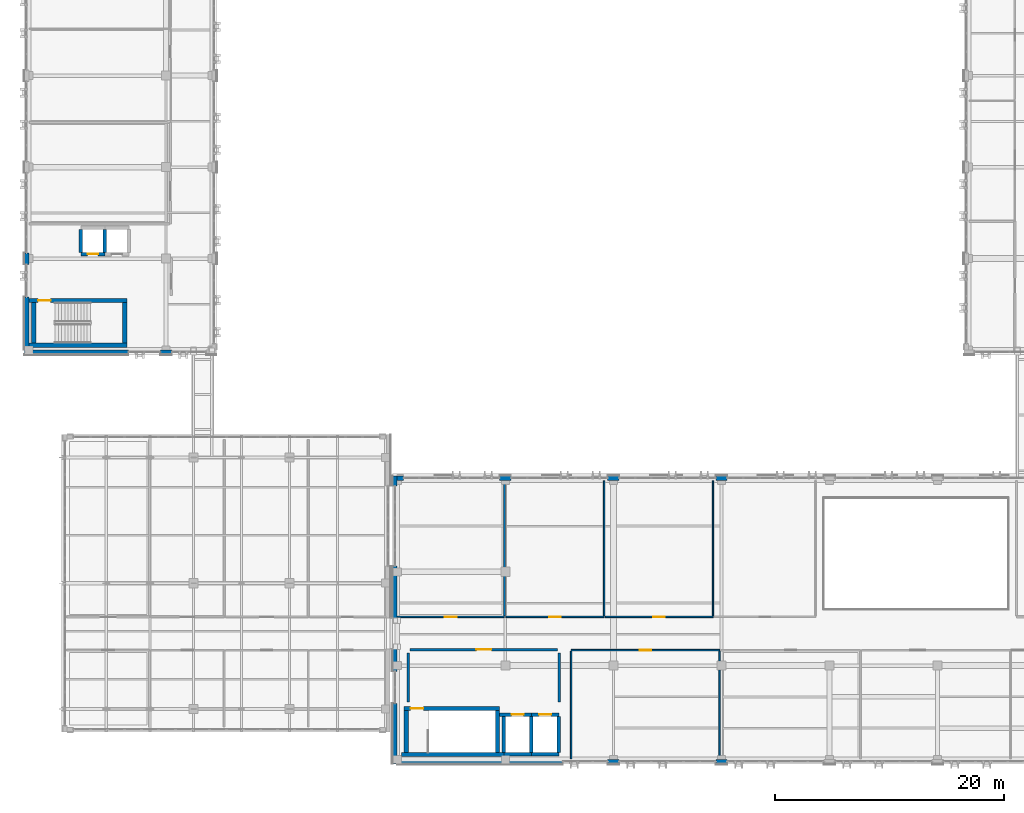
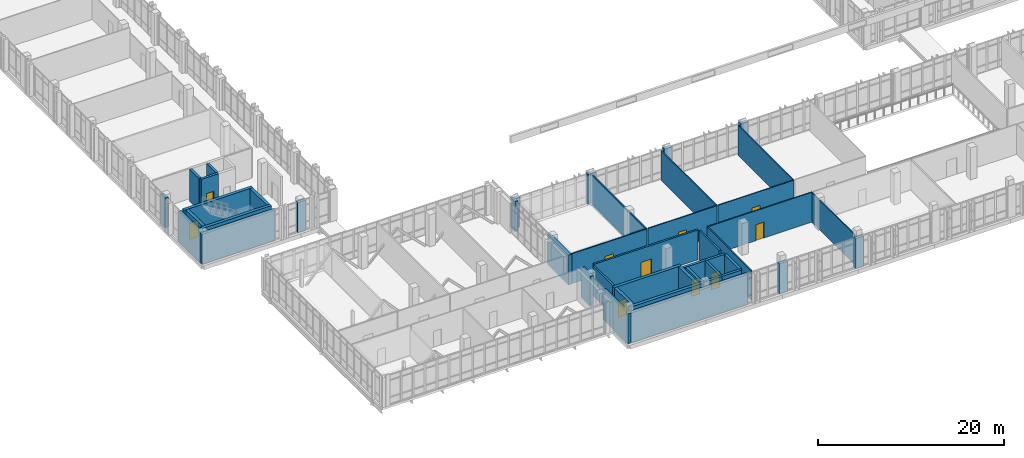
# One storey, part 129 of 158: 45 walls, 10 doors, 10 openings.
"""IFC4 building model written with IfcOpenShell, lengths in metres."""

import ifcopenshell
import ifcopenshell.guid

model = None  # the IFC model being written
_history = None  # IfcOwnerHistory: only IFC2X3 demands one
_inside = {}  # id of a spatial element -> (the spatial element, [elements in it])
_under = {}  # id of a project, library or spatial element -> (it, [spatial elements below it])
_declared = {}  # id of a project -> (the project, [libraries it declares])
_typed = {}  # id of a type object -> (the type object, [elements of that type])
_made_of = {}  # id of a material, layer set ... -> (it, [elements and type objects made of it])


def new_model(schema):
    """Start an empty IFC model of exactly this schema.

    Asked for "IFC4X3", IfcOpenShell would pick the latest addendum, in which some entities
    have other attributes; the version numbers below select the first issue.
    IFC2X3 requires an IfcOwnerHistory on every rooted entity: one is made here for all.
    """
    global model, _history
    if schema == "IFC4X3":
        model = ifcopenshell.file(schema_version=(4, 3, 0, 0))
    else:
        model = ifcopenshell.file(schema=schema)
    _inside.clear()
    _under.clear()
    _declared.clear()
    _typed.clear()
    _made_of.clear()
    _history = None
    if model.schema == "IFC2X3":
        org = make("IfcOrganization", Name="unknown")
        user = make(
            "IfcPersonAndOrganization",
            ThePerson=make("IfcPerson", FamilyName="unknown"),
            TheOrganization=org,
        )
        app = make(
            "IfcApplication",
            ApplicationDeveloper=org,
            Version="unknown",
            ApplicationFullName="unknown",
            ApplicationIdentifier="unknown",
        )
        _history = make(
            "IfcOwnerHistory",
            OwningUser=user,
            OwningApplication=app,
            ChangeAction="ADDED",
            CreationDate=0,
        )
    return model


def make(cls, **values):
    """One entity of the class cls with the attributes given. An attribute that is None is left unset."""
    return model.create_entity(
        cls, **{name: value for name, value in values.items() if value is not None}
    )


def rooted(cls, **values):
    """An entity with a GlobalId (a new one), such as an element, a storey or a relation."""
    return make(cls, GlobalId=ifcopenshell.guid.new(), OwnerHistory=_history, **values)


def si_unit(unit_type, name, prefix=None):
    """IfcSIUnit, for example si_unit("LENGTHUNIT", "METRE", prefix="MILLI")."""
    return make("IfcSIUnit", UnitType=unit_type, Prefix=prefix, Name=name)


def assignment(units):
    """IfcUnitAssignment: the units of a project."""
    return None if units is None else make("IfcUnitAssignment", Units=units)


def point(xyz):
    """IfcCartesianPoint."""
    return None if xyz is None else make("IfcCartesianPoint", Coordinates=xyz)


def direction(xyz):
    """IfcDirection."""
    return None if xyz is None else make("IfcDirection", DirectionRatios=xyz)


def frame(location, z_axis=None, x_axis=None):
    """IfcAxis2Placement3D, a coordinate frame: its origin and axes. An axis left out is left unset."""
    return make(
        "IfcAxis2Placement3D",
        Location=point(location),
        Axis=direction(z_axis),
        RefDirection=direction(x_axis),
    )


def frame_2d(location, x_axis=None):
    """IfcAxis2Placement2D, a coordinate frame in the plane: its origin and x axis."""
    return make(
        "IfcAxis2Placement2D", Location=point(location), RefDirection=direction(x_axis)
    )


def origin():
    """The frame at (0, 0, 0) with its axes left unset."""
    return frame((0.0, 0.0, 0.0))


def place(relative_to, where):
    """IfcLocalPlacement: puts the frame where relative to a parent placement (None: the world)."""
    return make(
        "IfcLocalPlacement", PlacementRelTo=relative_to, RelativePlacement=where
    )


def context(
    kind, dimensions, precision=None, world=None, true_north=None, identifier=None
):
    """IfcGeometricRepresentationContext, for example the 3D "Model" context."""
    return make(
        "IfcGeometricRepresentationContext",
        ContextIdentifier=identifier,
        ContextType=kind,
        CoordinateSpaceDimension=dimensions,
        Precision=precision,
        WorldCoordinateSystem=world,
        TrueNorth=true_north,
    )


def subcontext(parent, identifier, kind, view, scale=None):
    """IfcGeometricRepresentationSubContext, for example "Body" below "Model"."""
    return make(
        "IfcGeometricRepresentationSubContext",
        ContextIdentifier=identifier,
        ContextType=kind,
        ParentContext=parent,
        TargetScale=scale,
        TargetView=view,
    )


def project(units=None, contexts=None):
    """IfcProject with its units and contexts."""
    return rooted(
        "IfcProject",
        Name="project",
        RepresentationContexts=contexts,
        UnitsInContext=assignment(units),
    )


def spatial(cls, under=None, at=None, **own):
    """A site, building, storey or space (cls), placed at a placement, below another one or the project."""
    s = rooted(cls, ObjectPlacement=at, **own)
    if under is not None:
        _under.setdefault(under.id(), (under, []))[1].append(s)
    return s


def profile(cls, at=None, kind="AREA", **sizes):
    """A parametric profile (cls). Its sizes go by their IFC names, for example OverallWidth=200.0."""
    return make(cls, ProfileType=kind, Position=at, **sizes)


def rectangle(**sizes):
    """IfcRectangleProfileDef."""
    return profile("IfcRectangleProfileDef", **sizes)


def extrude(swept, where, along, depth):
    """IfcExtrudedAreaSolid: the profile swept, set in the frame where, extruded along a direction by depth."""
    return make(
        "IfcExtrudedAreaSolid",
        SweptArea=swept,
        Position=where,
        ExtrudedDirection=direction(along),
        Depth=depth,
    )


def shape(context_of_items, identifier, shape_type, items):
    """IfcShapeRepresentation: the items that make up one representation, for example the "Body"."""
    return make(
        "IfcShapeRepresentation",
        ContextOfItems=context_of_items,
        RepresentationIdentifier=identifier,
        RepresentationType=shape_type,
        Items=items,
    )


def material(Name=None, Category=None):
    """IfcMaterial."""
    return make("IfcMaterial", Name=Name, Category=Category)


def layer(
    of_material, thickness, ventilated=None, Name=None, Category=None, Priority=None
):
    """IfcMaterialLayer: one layer of a wall or slab, of a material (None: an air gap)."""
    return make(
        "IfcMaterialLayer",
        Material=of_material,
        LayerThickness=thickness,
        IsVentilated=ventilated,
        Name=Name,
        Category=Category,
        Priority=Priority,
    )


def layer_set(layers, Name=None):
    """IfcMaterialLayerSet."""
    return make("IfcMaterialLayerSet", MaterialLayers=layers, LayerSetName=Name)


def made_of(thing, what):
    """Note that an element or type object is made of a material, layer set ...; save() writes the relation."""
    if what is not None:
        _made_of.setdefault(what.id(), (what, []))[1].append(thing)
    return thing


def type_object(cls, material=None, **own):
    """A type object (cls), such as IfcWallType, which elements share."""
    return made_of(rooted(cls, **own), material)


def element(
    cls,
    number,
    at=None,
    inside=None,
    cuts=None,
    type_object=None,
    material=None,
    context=None,
    identifier="Body",
    shape_type=None,
    held_by="IfcProductDefinitionShape",
    body=None,
    shapes=None,
    **own,
):
    """One element of the class cls, such as IfcWall. Its Tag is "e" and its number.

    at: its placement. inside: the storey or other place that contains it. cuts: it is an
    opening in that element (IfcRelVoidsElement). A single representation is given by context,
    identifier, shape_type and body (its items); several are given by shapes. held_by: the class
    of the entity that holds the representations. save() writes the other relations.
    """
    e = rooted(cls, Tag="e%d" % number, ObjectPlacement=at, **own)
    if body is not None:
        shapes = [shape(context, identifier, shape_type, body)]
    if shapes is not None:
        e.Representation = make(held_by, Representations=shapes)
    if inside is not None:
        _inside.setdefault(inside.id(), (inside, []))[1].append(e)
    if cuts is not None:
        rooted(
            "IfcRelVoidsElement", RelatingBuildingElement=cuts, RelatedOpeningElement=e
        )
    if type_object is not None:
        _typed.setdefault(type_object.id(), (type_object, []))[1].append(e)
    return made_of(e, material)


def fill(opening, filler):
    """IfcRelFillsElement: the door or window that sits in an opening."""
    return rooted(
        "IfcRelFillsElement",
        RelatingOpeningElement=opening,
        RelatedBuildingElement=filler,
    )


def aggregate(whole, parts):
    """IfcRelAggregates: a whole, such as a stair, and the parts it consists of."""
    return rooted("IfcRelAggregates", RelatingObject=whole, RelatedObjects=parts)


def save(model, path):
    """Write the relations noted so far, then the file.

    IfcRelAggregates (storeys below a building ...), IfcRelContainedInSpatialStructure (elements
    in a storey), IfcRelDefinesByType, IfcRelAssociatesMaterial and IfcRelDeclares: one each for
    every whole, place, type object, material and project.
    """
    for whole, parts in _under.values():
        aggregate(whole, parts)
    for where, things in _inside.values():
        rooted(
            "IfcRelContainedInSpatialStructure",
            RelatedElements=things,
            RelatingStructure=where,
        )
    for kind, things in _typed.values():
        rooted("IfcRelDefinesByType", RelatedObjects=things, RelatingType=kind)
    for what, things in _made_of.values():
        rooted("IfcRelAssociatesMaterial", RelatedObjects=things, RelatingMaterial=what)
    for by, libraries in _declared.values():
        rooted("IfcRelDeclares", RelatingContext=by, RelatedDefinitions=libraries)
    model.write(path)


model = new_model("IFC4")

# Units and contexts
model_context = context("Model", 3, precision=1e-05, world=origin(), true_north=direction((0.0, 1.0)))
body_context = subcontext(model_context, "Body", "Model", "MODEL_VIEW")
ifc_project = project(units=[si_unit("LENGTHUNIT", "METRE"), si_unit("AREAUNIT", "SQUARE_METRE"), si_unit("VOLUMEUNIT", "CUBIC_METRE"), si_unit("PLANEANGLEUNIT", "RADIAN"), si_unit("MASSUNIT", "GRAM", prefix="KILO")], contexts=[model_context])

# Site, building, storey
site_placement = place(None, origin())
site = spatial("IfcSite", under=ifc_project, at=site_placement, CompositionType="ELEMENT")
building_placement = place(site_placement, origin())
building = spatial("IfcBuilding", under=site, at=building_placement, Name="Qalavern Law Courts", CompositionType="ELEMENT")
storey_placement = place(building_placement, frame((0.0, 0.0, 18.60009765625)))
storey = spatial("IfcBuildingStorey", under=building, at=storey_placement, Name="L04", CompositionType="ELEMENT", Elevation=18.60009765625)

# Walls
ifc_material_1 = material(Name="Concrete C40/50", Category="concrete")
ifc_layer_1 = layer(ifc_material_1, 0.39990234375)
ifc_layer_set_1 = layer_set([ifc_layer_1], Name="Concrete C40/50")
wall_type_1 = type_object("IfcWallType", Name="ENV-EW-400", PredefinedType="SOLIDWALL", material=ifc_layer_set_1)
wall_1_placement = place(storey_placement, frame((34.614990234375, 5.39990234375, 0.0), z_axis=(0.0, 0.0, 1.0), x_axis=(1.0, 0.0, 0.0)))
element("IfcWall", 1, at=wall_1_placement, inside=storey, type_object=wall_type_1, Name="V2 exterior pier wall L04 south 1", PredefinedType="SOLIDWALL", context=body_context, shape_type="SweptSolid", body=[
    extrude(rectangle(XDim=14.485107421875, YDim=0.39990234375, at=frame_2d((7.24267578125, 0.0))), origin(), (0.0, 0.0, 1.0), 3.9248046875),
])
for number, where, z_axis, x_axis, name in (
    (2, (53.028564453125, 5.39990234375, 0.0), (0.0, 0.0, 1.0), (1.0, 0.0, 0.0), "V2 exterior pier wall L04 south 2"),
    (3, (62.48291015625, 5.39990234375, 0.0), (0.0, 0.0, 1.0), (1.0, 0.0, 0.0), "V2 exterior pier wall L04 south 3"),
    (4, (63.48291015625, 30.199951171875, 0.0), (0.0, 0.0, 1.0), (-1.0, 0.0, 0.0), "V2 exterior pier wall L04 north 5"),
    (5, (54.028564453125, 30.199951171875, 0.0), (0.0, 0.0, 1.0), (-1.0, 0.0, 0.0), "V2 exterior pier wall L04 north 6"),
    (6, (44.57421875, 30.199951171875, 0.0), (0.0, 0.0, 1.0), (-1.0, 0.0, 0.0), "V2 exterior pier wall L04 north 7"),
):
    element("IfcWall", number, at=place(storey_placement, frame(where, z_axis=z_axis, x_axis=x_axis)), inside=storey, type_object=wall_type_1, Name=name, PredefinedType="SOLIDWALL", context=body_context, shape_type="SweptSolid", body=[
        extrude(rectangle(XDim=1.0, YDim=0.39990234375, at=frame_2d((0.5, 0.0))), origin(), (0.0, 0.0, 1.0), 3.9248046875),
    ])
wall_2_placement = place(storey_placement, frame((35.1650390625, 30.199951171875, 0.0), z_axis=(0.0, 0.0, 1.0), x_axis=(-1.0, 0.0, 0.0)))
element("IfcWall", 7, at=wall_2_placement, inside=storey, type_object=wall_type_1, Name="V2 exterior pier wall L04 north 8", PredefinedType="SOLIDWALL", context=body_context, shape_type="SweptSolid", body=[
    extrude(rectangle(XDim=0.550048828125, YDim=0.39990234375, at=frame_2d((0.27490234375, 0.0))), origin(), (0.0, 0.0, 1.0), 3.9248046875),
])
wall_3_placement = place(storey_placement, frame((34.419921875, 30.39990234375, 0.0), z_axis=(0.0, 0.0, 1.0), x_axis=(0.0, -1.0, 0.0)))
element("IfcWall", 8, at=wall_3_placement, inside=storey, type_object=wall_type_1, Name="V2 exterior pier wall L04 west 1", PredefinedType="SOLIDWALL", context=body_context, shape_type="SweptSolid", body=[
    extrude(rectangle(XDim=0.89990234375, YDim=0.39990234375, at=frame_2d((0.449951171875, 0.0))), origin(), (0.0, 0.0, 1.0), 3.9248046875),
])
wall_4_placement = place(storey_placement, frame((34.419921875, 22.5, 0.0), z_axis=(0.0, 0.0, 1.0), x_axis=(0.0, -1.0, 0.0)))
element("IfcWall", 9, at=wall_4_placement, inside=storey, type_object=wall_type_1, Name="V2 exterior pier wall L04 west 2", PredefinedType="SOLIDWALL", context=body_context, shape_type="SweptSolid", body=[
    extrude(rectangle(XDim=4.550048828125, YDim=0.39990234375, at=frame_2d((2.27490234375, 0.0))), origin(), (0.0, 0.0, 1.0), 3.9248046875),
])
wall_5_placement = place(storey_placement, frame((34.419921875, 15.25, 0.0), z_axis=(0.0, 0.0, 1.0), x_axis=(0.0, -1.0, 0.0)))
element("IfcWall", 10, at=wall_5_placement, inside=storey, type_object=wall_type_1, Name="V2 exterior pier wall L04 west 1", PredefinedType="SOLIDWALL", context=body_context, shape_type="SweptSolid", body=[
    extrude(rectangle(XDim=1.949951171875, YDim=0.39990234375, at=frame_2d((0.97509765625, 0.0))), origin(), (0.0, 0.0, 1.0), 3.9248046875),
])
wall_6_placement = place(storey_placement, frame((34.419921875, 10.5, 0.0), z_axis=(0.0, 0.0, 1.0), x_axis=(0.0, -1.0, 0.0)))
element("IfcWall", 11, at=wall_6_placement, inside=storey, type_object=wall_type_1, Name="V2 exterior pier wall L04 west 2", PredefinedType="SOLIDWALL", context=body_context, shape_type="SweptSolid", body=[
    extrude(rectangle(XDim=5.300048828125, YDim=0.39990234375, at=frame_2d((2.64990234375, 0.0))), origin(), (0.0, 0.0, 1.0), 3.9248046875),
])
wall_7_placement = place(storey_placement, frame((2.0, 41.219970703125, 0.0), z_axis=(0.0, 0.0, 1.0), x_axis=(1.0, 0.0, 0.0)))
element("IfcWall", 12, at=wall_7_placement, inside=storey, type_object=wall_type_1, Name="V3 exterior pier wall L04 south 1", PredefinedType="SOLIDWALL", context=body_context, shape_type="SweptSolid", body=[
    extrude(rectangle(XDim=9.10009765625, YDim=0.39990234375, at=frame_2d((4.550048828125, 0.0))), origin(), (0.0, 0.0, 1.0), 3.9248046875),
])
for number, where, z_axis, x_axis, name in (
    (13, (13.89990234375, 41.219970703125, 0.0), (0.0, 0.0, 1.0), (1.0, 0.0, 0.0), "V3 exterior pier wall L04 south 2"),
    (14, (2.199951171875, 49.89990234375, 0.0), (0.0, 0.0, 1.0), (0.0, -1.0, 0.0), "V3 exterior pier wall L04 west 7"),
):
    element("IfcWall", number, at=place(storey_placement, frame(where, z_axis=z_axis, x_axis=x_axis)), inside=storey, type_object=wall_type_1, Name=name, PredefinedType="SOLIDWALL", context=body_context, shape_type="SweptSolid", body=[
        extrude(rectangle(XDim=1.0, YDim=0.39990234375, at=frame_2d((0.5, 0.0))), origin(), (0.0, 0.0, 1.0), 3.9248046875),
    ])
wall_8_placement = place(storey_placement, frame((2.199951171875, 46.050048828125, 0.0), z_axis=(0.0, 0.0, 1.0), x_axis=(0.0, -1.0, 0.0)))
element("IfcWall", 15, at=wall_8_placement, inside=storey, type_object=wall_type_1, Name="V3 exterior pier wall L04 west 8", PredefinedType="SOLIDWALL", context=body_context, shape_type="SweptSolid", body=[
    extrude(rectangle(XDim=4.635009765625, YDim=0.39990234375, at=frame_2d((2.3173828125, 0.0))), origin(), (0.0, 0.0, 1.0), 3.9248046875),
])
ifc_material_2 = material(Name="Concrete C45/55", Category="concrete")
ifc_layer_2 = layer(ifc_material_2, 0.375)
ifc_layer_set_2 = layer_set([ifc_layer_2], Name="Concrete C45/55")
wall_type_2 = type_object("IfcWallType", Name="INT-CW-375", PredefinedType="SHEAR", material=ifc_layer_set_2)
wall_9_placement = place(storey_placement, frame((2.403076171875, 41.8125, 0.0), z_axis=(0.0, 0.0, 1.0), x_axis=(1.0, 0.0, 0.0)))
element("IfcWall", 16, at=wall_9_placement, inside=storey, type_object=wall_type_2, Name="Core K2 stair shear wall L04 south", PredefinedType="SHEAR", context=body_context, shape_type="SweptSolid", body=[
    extrude(rectangle(XDim=8.572021484375, YDim=0.375, at=frame_2d((4.2861328125, 0.0))), origin(), (0.0, 0.0, 1.0), 4.199951171875),
])
wall_10_placement = place(storey_placement, frame((10.78759765625, 42.0, 0.0), z_axis=(0.0, 0.0, 1.0), x_axis=(0.0, 1.0, 0.0)))
element("IfcWall", 17, at=wall_10_placement, inside=storey, type_object=wall_type_2, Name="Core K2 stair shear wall L04 east", PredefinedType="SHEAR", context=body_context, shape_type="SweptSolid", body=[
    extrude(rectangle(XDim=3.550048828125, YDim=0.375, at=frame_2d((1.77490234375, 0.0))), origin(), (0.0, 0.0, 1.0), 4.199951171875),
])

# Wall, opening, door
wall_11_placement = place(storey_placement, frame((10.97509765625, 45.737548828125, 0.0), z_axis=(0.0, 0.0, 1.0), x_axis=(-1.0, 0.0, 0.0)))
wall_11 = element("IfcWall", 18, at=wall_11_placement, inside=storey, type_object=wall_type_2, Name="Core K2 stair shear wall L04 north", PredefinedType="SHEAR", context=body_context, shape_type="SweptSolid", body=[
    extrude(rectangle(XDim=8.572021484375, YDim=0.375, at=frame_2d((4.2861328125, 0.0))), origin(), (0.0, 0.0, 1.0), 4.199951171875),
])
opening_1_placement = place(wall_11_placement, frame((6.675048828125, 0.0, 0.0)))
opening_1 = element("IfcOpeningElement", 19, at=opening_1_placement, cuts=wall_11, Name="Opening L04-D061", PredefinedType="OPENING", context=body_context, shape_type="SweptSolid", body=[
    extrude(rectangle(XDim=1.10009765625, YDim=2.14990234375, at=frame_2d((0.550048828125, 1.074951171875))), frame((0.0, 0.202392578125, 0.0), z_axis=(0.0, -1.0, 0.0), x_axis=(1.0, 0.0, 0.0)), (0.0, 0.0, 1.0), 0.40478515625),
])
ifc_material_3 = material(Name="Steel fire-rated stair enclosure door", Category="steel")
door_type_1 = type_object("IfcDoorType", Name="INT-FD-1100x2150", OperationType="NOTDEFINED", PredefinedType="DOOR", material=ifc_material_3)
door_1_placement = place(opening_1_placement, frame((1.10009765625, 0.0, 0.0), z_axis=(0.0, 0.0, 1.0), x_axis=(-1.0, 0.0, 0.0)))
door_1 = element("IfcDoor", 20, at=door_1_placement, inside=storey, type_object=door_type_1, Name="Stair K2 fire door L04", OperationType="SINGLE_SWING_LEFT", OverallHeight=2.14990234375, OverallWidth=1.10009765625, PredefinedType="DOOR", context=body_context, shape_type="SweptSolid", body=[
    extrude(rectangle(XDim=1.10009765625, YDim=2.14990234375, at=frame_2d((0.550048828125, 1.074951171875))), frame((0.0, 0.02490234375, 0.0), z_axis=(0.0, -1.0, 0.0), x_axis=(1.0, 0.0, 0.0)), (0.0, 0.0, 1.0), 0.050048828125),
])
fill(opening_1, door_1)

# Walls
wall_12_placement = place(storey_placement, frame((2.8125, 45.550048828125, 0.0), z_axis=(0.0, 0.0, 1.0), x_axis=(0.0, -1.0, 0.0)))
element("IfcWall", 21, at=wall_12_placement, inside=storey, type_object=wall_type_2, Name="Core K2 stair shear wall L04 west", PredefinedType="SHEAR", context=body_context, shape_type="SweptSolid", body=[
    extrude(rectangle(XDim=3.550048828125, YDim=0.375, at=frame_2d((1.77490234375, 0.0))), origin(), (0.0, 0.0, 1.0), 4.199951171875),
])
wall_13_placement = place(storey_placement, frame((34.972900390625, 6.012451171875, 0.0), z_axis=(0.0, 0.0, 1.0), x_axis=(1.0, 0.0, 0.0)))
element("IfcWall", 22, at=wall_13_placement, inside=storey, type_object=wall_type_2, Name="Core K4 stair shear wall L04 south", PredefinedType="SHEAR", context=body_context, shape_type="SweptSolid", body=[
    extrude(rectangle(XDim=8.9716796875, YDim=0.375, at=frame_2d((4.48583984375, 0.0))), origin(), (0.0, 0.0, 1.0), 4.199951171875),
])
wall_14_placement = place(storey_placement, frame((43.387451171875, 6.199951171875, 0.0), z_axis=(0.0, 0.0, 1.0), x_axis=(0.0, 1.0, 0.0)))
element("IfcWall", 23, at=wall_14_placement, inside=storey, type_object=wall_type_2, Name="Core K4 stair shear wall L04 east", PredefinedType="SHEAR", context=body_context, shape_type="SweptSolid", body=[
    extrude(rectangle(XDim=3.650146484375, YDim=0.375, at=frame_2d((1.8251953125, 0.0))), origin(), (0.0, 0.0, 1.0), 4.199951171875),
])

# Wall, opening, door
wall_15_placement = place(storey_placement, frame((43.574951171875, 10.03759765625, 0.0), z_axis=(0.0, 0.0, 1.0), x_axis=(-1.0, 0.0, 0.0)))
wall_15 = element("IfcWall", 24, at=wall_15_placement, inside=storey, type_object=wall_type_2, Name="Core K4 stair shear wall L04 north", PredefinedType="SHEAR", context=body_context, shape_type="SweptSolid", body=[
    extrude(rectangle(XDim=8.349853515625, YDim=0.375, at=frame_2d((4.1748046875, 0.0))), origin(), (0.0, 0.0, 1.0), 4.199951171875),
])
opening_2_placement = place(wall_15_placement, frame((6.675048828125, 0.0, 0.0)))
opening_2 = element("IfcOpeningElement", 25, at=opening_2_placement, cuts=wall_15, Name="Opening L04-D099", PredefinedType="OPENING", context=body_context, shape_type="SweptSolid", body=[
    extrude(rectangle(XDim=1.10009765625, YDim=2.14990234375, at=frame_2d((0.550048828125, 1.074951171875))), frame((0.0, 0.202392578125, 0.0), z_axis=(0.0, -1.0, 0.0), x_axis=(1.0, 0.0, 0.0)), (0.0, 0.0, 1.0), 0.40478515625),
])
door_2_placement = place(opening_2_placement, frame((1.10009765625, 0.0, 0.0), z_axis=(0.0, 0.0, 1.0), x_axis=(-1.0, 0.0, 0.0)))
door_2 = element("IfcDoor", 26, at=door_2_placement, inside=storey, type_object=door_type_1, Name="Stair K4 fire door L04", OperationType="SINGLE_SWING_RIGHT", OverallHeight=2.14990234375, OverallWidth=1.10009765625, PredefinedType="DOOR", context=body_context, shape_type="SweptSolid", body=[
    extrude(rectangle(XDim=1.10009765625, YDim=2.14990234375, at=frame_2d((0.550048828125, 1.074951171875))), frame((0.0, 0.02490234375, 0.0), z_axis=(0.0, -1.0, 0.0), x_axis=(1.0, 0.0, 0.0)), (0.0, 0.0, 1.0), 0.050048828125),
])
fill(opening_2, door_2)

# Wall
wall_16_placement = place(storey_placement, frame((35.41259765625, 9.85009765625, 0.0), z_axis=(0.0, 0.0, 1.0), x_axis=(0.0, -1.0, 0.0)))
element("IfcWall", 27, at=wall_16_placement, inside=storey, type_object=wall_type_2, Name="Core K4 stair shear wall L04 west", PredefinedType="SHEAR", context=body_context, shape_type="SweptSolid", body=[
    extrude(rectangle(XDim=3.650146484375, YDim=0.375, at=frame_2d((1.8251953125, 0.0))), origin(), (0.0, 0.0, 1.0), 4.199951171875),
])

# Wall, opening, door
ifc_layer_3 = layer(ifc_material_1, 0.22509765625)
ifc_layer_set_3 = layer_set([ifc_layer_3], Name="Concrete C40/50")
wall_type_3 = type_object("IfcWallType", Name="INT-FW-225", PredefinedType="PARTITIONING", material=ifc_layer_set_3)
wall_17_placement = place(storey_placement, frame((35.75, 15.199951171875, 0.0), z_axis=(0.0, 0.0, 1.0), x_axis=(1.0, 0.0, 0.0)))
wall_17 = element("IfcWall", 28, at=wall_17_placement, inside=storey, type_object=wall_type_3, Name="Core K4 firefighting/stair lobby fire wall L04", PredefinedType="PARTITIONING", context=body_context, shape_type="SweptSolid", body=[
    extrude(rectangle(XDim=12.89990234375, YDim=0.22509765625, at=frame_2d((6.449951171875, 0.0))), origin(), (0.0, 0.0, 1.0), 3.9248046875),
])
opening_3_placement = place(wall_17_placement, frame((5.800048828125, 0.0, 0.0)))
opening_3 = element("IfcOpeningElement", 29, at=opening_3_placement, cuts=wall_17, Name="Opening L04-D100", PredefinedType="OPENING", context=body_context, shape_type="SweptSolid", body=[
    extrude(rectangle(XDim=1.300048828125, YDim=2.14990234375, at=frame_2d((0.64990234375, 1.074951171875))), frame((0.0, 0.12744140625, 0.0), z_axis=(0.0, -1.0, 0.0), x_axis=(1.0, 0.0, 0.0)), (0.0, 0.0, 1.0), 0.2548828125),
])
ifc_material_4 = material(Name="Steel fire-rated frame and acoustic timber leaves", Category="steel")
door_type_2 = type_object("IfcDoorType", Name="INT-FD-1300x2150", OperationType="DOUBLE_DOOR_SINGLE_SWING", PredefinedType="DOOR", material=ifc_material_4)
door_3_placement = place(opening_3_placement, origin())
door_3 = element("IfcDoor", 30, at=door_3_placement, inside=storey, type_object=door_type_2, Name="Core K4 lobby fire door L04", OperationType="DOUBLE_DOOR_SINGLE_SWING", OverallHeight=2.14990234375, OverallWidth=1.300048828125, PredefinedType="DOOR", context=body_context, shape_type="SweptSolid", body=[
    extrude(rectangle(XDim=1.300048828125, YDim=2.14990234375, at=frame_2d((0.64990234375, 1.074951171875))), frame((0.0, 0.02490234375, 0.0), z_axis=(0.0, -1.0, 0.0), x_axis=(1.0, 0.0, 0.0)), (0.0, 0.0, 1.0), 0.050048828125),
])
fill(opening_3, door_3)

# Walls
for number, where, z_axis, x_axis, name in (
    (31, (35.60009765625, 10.60009765625, 0.0), (0.0, 0.0, 1.0), (0.0, 1.0, 0.0), "Core K4 lobby return wall L04 west"),
    (32, (48.800048828125, 10.60009765625, 0.0), (0.0, 0.0, 1.0), (0.0, 1.0, 0.0), "Core K4 lobby return wall L04 east"),
):
    element("IfcWall", number, at=place(storey_placement, frame(where, z_axis=z_axis, x_axis=x_axis)), inside=storey, type_object=wall_type_3, Name=name, PredefinedType="PARTITIONING", context=body_context, shape_type="SweptSolid", body=[
        extrude(rectangle(XDim=4.2998046875, YDim=0.22509765625, at=frame_2d((2.14990234375, 0.0))), origin(), (0.0, 0.0, 1.0), 3.9248046875),
    ])

# Wall, opening, door
ifc_material_5 = material(Name="Gypsum stud partition")
ifc_layer_4 = layer(ifc_material_5, 0.1220703125)
ifc_layer_set_4 = layer_set([ifc_layer_4], Name="Gypsum stud partition")
wall_type_4 = type_object("IfcWallType", Name="INT-PW-122", PredefinedType="PARTITIONING", material=ifc_layer_set_4)
wall_18_placement = place(storey_placement, frame((52.826904296875, 18.06005859375, 0.0), z_axis=(0.0, 0.0, 1.0), x_axis=(1.0, 0.0, 0.0)))
wall_18 = element("IfcWall", 33, at=wall_18_placement, inside=storey, type_object=wall_type_4, Name="Press Briefing Room corridor partition L04", PredefinedType="PARTITIONING", context=body_context, shape_type="SweptSolid", body=[
    extrude(rectangle(XDim=9.416015625, YDim=0.1220703125, at=frame_2d((4.7080078125, 0.0))), origin(), (0.0, 0.0, 1.0), 3.9248046875),
])
opening_4_placement = place(wall_18_placement, frame((4.2080078125, 0.0, 0.0)))
opening_4 = element("IfcOpeningElement", 34, at=opening_4_placement, cuts=wall_18, Name="Opening L04-D196", PredefinedType="OPENING", context=body_context, shape_type="SweptSolid", body=[
    extrude(rectangle(XDim=1.0, YDim=2.10009765625, at=frame_2d((0.5, 1.050048828125))), frame((0.0, 0.075927734375, 0.0), z_axis=(0.0, -1.0, 0.0), x_axis=(1.0, 0.0, 0.0)), (0.0, 0.0, 1.0), 0.15185546875),
])
ifc_material_6 = material(Name="Timber Judicial Clerks' Office door", Category="wood")
door_type_3 = type_object("IfcDoorType", Name="INT-ID-1000x2100", OperationType="NOTDEFINED", PredefinedType="DOOR", material=ifc_material_6)
door_4_placement = place(opening_4_placement, origin())
door_4 = element("IfcDoor", 35, at=door_4_placement, inside=storey, type_object=door_type_3, Name="Press Briefing Room door L04", OperationType="SINGLE_SWING_RIGHT", OverallHeight=2.10009765625, OverallWidth=1.0, PredefinedType="DOOR", context=body_context, shape_type="SweptSolid", body=[
    extrude(rectangle(XDim=1.0, YDim=2.10009765625, at=frame_2d((0.5, 1.050048828125))), frame((0.0, 0.02490234375, 0.0), z_axis=(0.0, -1.0, 0.0), x_axis=(1.0, 0.0, 0.0)), (0.0, 0.0, 1.0), 0.050048828125),
])
fill(opening_4, door_4)

# Wall
wall_19_placement = place(storey_placement, frame((62.242919921875, 18.14111328125, 0.0), z_axis=(0.0, 0.0, 1.0), x_axis=(0.0, 1.0, 0.0)))
element("IfcWall", 36, at=wall_19_placement, inside=storey, type_object=wall_type_4, Name="Press Briefing Room cross partition L04 east", PredefinedType="PARTITIONING", context=body_context, shape_type="SweptSolid", body=[
    extrude(rectangle(XDim=11.81884765625, YDim=0.1220703125, at=frame_2d((5.909423828125, 0.0))), origin(), (0.0, 0.0, 1.0), 3.9248046875),
])

# Wall, opening, door
ifc_layer_5 = layer(ifc_material_5, 0.132080078125)
ifc_layer_set_5 = layer_set([ifc_layer_5], Name="Gypsum stud partition")
wall_type_5 = type_object("IfcWallType", Name="INT-PW-132", PredefinedType="PARTITIONING", material=ifc_layer_set_5)
wall_20_placement = place(storey_placement, frame((49.840087890625, 15.139892578125, 0.0), z_axis=(0.0, 0.0, 1.0), x_axis=(1.0, 0.0, 0.0)))
wall_20 = element("IfcWall", 37, at=wall_20_placement, inside=storey, type_object=wall_type_5, Name="Ceremonial Public Gallery corridor partition L04", PredefinedType="PARTITIONING", context=body_context, shape_type="SweptSolid", body=[
    extrude(rectangle(XDim=12.989990234375, YDim=0.132080078125, at=frame_2d((6.4951171875, 0.0))), origin(), (0.0, 0.0, 1.0), 3.9248046875),
])
opening_5_placement = place(wall_20_placement, frame((6.0048828125, 0.0, 0.0)))
opening_5 = element("IfcOpeningElement", 38, at=opening_5_placement, cuts=wall_20, Name="Opening L04-D188", PredefinedType="OPENING", context=body_context, shape_type="SweptSolid", body=[
    extrude(rectangle(XDim=0.97998046875, YDim=2.090087890625, at=frame_2d((0.489990234375, 1.044921875))), frame((0.0, 0.0810546875, 0.0), z_axis=(0.0, -1.0, 0.0), x_axis=(1.0, 0.0, 0.0)), (0.0, 0.0, 1.0), 0.161865234375),
])
ifc_material_7 = material(Name="Timber Legal Research Office door", Category="wood")
door_type_4 = type_object("IfcDoorType", Name="INT-ID-980x2090", OperationType="NOTDEFINED", PredefinedType="DOOR", material=ifc_material_7)
door_5_placement = place(opening_5_placement, frame((0.97998046875, 0.0, 0.0), z_axis=(0.0, 0.0, 1.0), x_axis=(-1.0, 0.0, 0.0)))
door_5 = element("IfcDoor", 39, at=door_5_placement, inside=storey, type_object=door_type_4, Name="Ceremonial Public Gallery door L04", OperationType="SINGLE_SWING_RIGHT", OverallHeight=2.090087890625, OverallWidth=0.97998046875, PredefinedType="DOOR", context=body_context, shape_type="SweptSolid", body=[
    extrude(rectangle(XDim=0.97998046875, YDim=2.090087890625, at=frame_2d((0.489990234375, 1.044921875))), frame((0.0, 0.02490234375, 0.0), z_axis=(0.0, -1.0, 0.0), x_axis=(1.0, 0.0, 0.0)), (0.0, 0.0, 1.0), 0.050048828125),
])
fill(opening_5, door_5)

# Walls
for number, where, z_axis, x_axis, name in (
    (40, (49.840087890625, 5.639892578125, 0.0), (0.0, 0.0, 1.0), (0.0, 1.0, 0.0), "Ceremonial Public Gallery cross partition L04 west"),
    (41, (62.830078125, 5.639892578125, 0.0), (0.0, 0.0, 1.0), (0.0, 1.0, 0.0), "Ceremonial Public Gallery cross partition L04 east"),
):
    element("IfcWall", number, at=place(storey_placement, frame(where, z_axis=z_axis, x_axis=x_axis)), inside=storey, type_object=wall_type_5, Name=name, PredefinedType="PARTITIONING", context=body_context, shape_type="SweptSolid", body=[
        extrude(rectangle(XDim=9.4140625, YDim=0.132080078125, at=frame_2d((4.70703125, 0.0))), origin(), (0.0, 0.0, 1.0), 3.9248046875),
    ])

# Wall, opening, door
wall_21_placement = place(storey_placement, frame((44.116943359375, 18.06005859375, 0.0), z_axis=(0.0, 0.0, 1.0), x_axis=(1.0, 0.0, 0.0)))
wall_21 = element("IfcWall", 42, at=wall_21_placement, inside=storey, type_object=wall_type_5, Name="Court Reporting Office corridor partition L04", PredefinedType="PARTITIONING", context=body_context, shape_type="SweptSolid", body=[
    extrude(rectangle(XDim=8.590087890625, YDim=0.132080078125, at=frame_2d((4.294921875, 0.0))), origin(), (0.0, 0.0, 1.0), 3.9248046875),
])
opening_6_placement = place(wall_21_placement, frame((3.780029296875, 0.0, 0.0)))
opening_6 = element("IfcOpeningElement", 43, at=opening_6_placement, cuts=wall_21, Name="Opening L04-D195", PredefinedType="OPENING", context=body_context, shape_type="SweptSolid", body=[
    extrude(rectangle(XDim=1.030029296875, YDim=2.110107421875, at=frame_2d((0.51513671875, 1.05517578125))), frame((0.0, 0.0810546875, 0.0), z_axis=(0.0, -1.0, 0.0), x_axis=(1.0, 0.0, 0.0)), (0.0, 0.0, 1.0), 0.161865234375),
])
ifc_material_8 = material(Name="Oak Mediation Suite door")
door_type_5 = type_object("IfcDoorType", Name="INT-ID-1030x2110", OperationType="NOTDEFINED", PredefinedType="DOOR", material=ifc_material_8)
door_6_placement = place(opening_6_placement, origin())
door_6 = element("IfcDoor", 44, at=door_6_placement, inside=storey, type_object=door_type_5, Name="Court Reporting Office door L04", OperationType="SINGLE_SWING_LEFT", OverallHeight=2.110107421875, OverallWidth=1.030029296875, PredefinedType="DOOR", context=body_context, shape_type="SweptSolid", body=[
    extrude(rectangle(XDim=1.030029296875, YDim=2.110107421875, at=frame_2d((0.51513671875, 1.05517578125))), frame((0.0, 0.02490234375, 0.0), z_axis=(0.0, -1.0, 0.0), x_axis=(1.0, 0.0, 0.0)), (0.0, 0.0, 1.0), 0.050048828125),
])
fill(opening_6, door_6)

# Wall
wall_22_placement = place(storey_placement, frame((52.70703125, 18.14599609375, 0.0), z_axis=(0.0, 0.0, 1.0), x_axis=(0.0, 1.0, 0.0)))
element("IfcWall", 45, at=wall_22_placement, inside=storey, type_object=wall_type_5, Name="Court Reporting Office cross partition L04 east", PredefinedType="PARTITIONING", context=body_context, shape_type="SweptSolid", body=[
    extrude(rectangle(XDim=11.81396484375, YDim=0.132080078125, at=frame_2d((5.906982421875, 0.0))), origin(), (0.0, 0.0, 1.0), 3.9248046875),
])

# Wall, opening, door
ifc_layer_6 = layer(ifc_material_5, 0.14208984375)
ifc_layer_set_6 = layer_set([ifc_layer_6], Name="Gypsum stud partition")
wall_type_6 = type_object("IfcWallType", Name="INT-PW-142", PredefinedType="PARTITIONING", material=ifc_layer_set_6)
wall_23_placement = place(storey_placement, frame((34.60009765625, 18.06005859375, 0.0), z_axis=(0.0, 0.0, 1.0), x_axis=(1.0, 0.0, 0.0)))
wall_23 = element("IfcWall", 46, at=wall_23_placement, inside=storey, type_object=wall_type_6, Name="Judicial Conference Hall corridor partition L04", PredefinedType="PARTITIONING", context=body_context, shape_type="SweptSolid", body=[
    extrude(rectangle(XDim=9.39697265625, YDim=0.14208984375, at=frame_2d((4.698486328125, 0.0))), origin(), (0.0, 0.0, 1.0), 3.9248046875),
])
opening_7_placement = place(wall_23_placement, frame((4.16845703125, 0.0, 0.0)))
opening_7 = element("IfcOpeningElement", 47, at=opening_7_placement, cuts=wall_23, Name="Opening L04-D194", PredefinedType="OPENING", context=body_context, shape_type="SweptSolid", body=[
    extrude(rectangle(XDim=1.06005859375, YDim=2.1201171875, at=frame_2d((0.530029296875, 1.06005859375))), frame((0.0, 0.0859375, 0.0), z_axis=(0.0, -1.0, 0.0), x_axis=(1.0, 0.0, 0.0)), (0.0, 0.0, 1.0), 0.171875),
])
ifc_material_9 = material(Name="Solid oak Trial Judges' Chambers door")
door_type_6 = type_object("IfcDoorType", Name="INT-ID-1060x2120", OperationType="NOTDEFINED", PredefinedType="DOOR", material=ifc_material_9)
door_7_placement = place(opening_7_placement, origin())
door_7 = element("IfcDoor", 48, at=door_7_placement, inside=storey, type_object=door_type_6, Name="Judicial Conference Hall door L04", OperationType="SINGLE_SWING_RIGHT", OverallHeight=2.1201171875, OverallWidth=1.06005859375, PredefinedType="DOOR", context=body_context, shape_type="SweptSolid", body=[
    extrude(rectangle(XDim=1.06005859375, YDim=2.1201171875, at=frame_2d((0.530029296875, 1.06005859375))), frame((0.0, 0.02490234375, 0.0), z_axis=(0.0, -1.0, 0.0), x_axis=(1.0, 0.0, 0.0)), (0.0, 0.0, 1.0), 0.050048828125),
])
fill(opening_7, door_7)

# Wall
wall_24_placement = place(storey_placement, frame((43.9970703125, 18.15087890625, 0.0), z_axis=(0.0, 0.0, 1.0), x_axis=(0.0, 1.0, 0.0)))
element("IfcWall", 49, at=wall_24_placement, inside=storey, type_object=wall_type_6, Name="Judicial Conference Hall cross partition L04 east", PredefinedType="PARTITIONING", context=body_context, shape_type="SweptSolid", body=[
    extrude(rectangle(XDim=11.80908203125, YDim=0.14208984375, at=frame_2d((5.904541015625, 0.0))), origin(), (0.0, 0.0, 1.0), 3.9248046875),
])

# Wall, opening, door
ifc_layer_7 = layer(ifc_material_2, 0.304931640625)
ifc_layer_set_7 = layer_set([ifc_layer_7], Name="Concrete C45/55")
wall_type_7 = type_object("IfcWallType", Name="INT-SW-305", PredefinedType="SHEAR", material=ifc_layer_set_7)
wall_25_placement = place(storey_placement, frame((6.947509765625, 49.797607421875, 0.0), z_axis=(0.0, 0.0, 1.0), x_axis=(1.0, 0.0, 0.0)))
wall_25 = element("IfcWall", 50, at=wall_25_placement, inside=storey, type_object=wall_type_7, Name="Lift LF-C1 shaft wall L04 south", PredefinedType="SHEAR", context=body_context, shape_type="SweptSolid", body=[
    extrude(rectangle(XDim=2.10498046875, YDim=0.304931640625, at=frame_2d((1.052490234375, 0.0))), origin(), (0.0, 0.0, 1.0), 4.199951171875),
])
opening_8_placement = place(wall_25_placement, frame((0.592529296875, 0.0, 0.0)))
opening_8 = element("IfcOpeningElement", 51, at=opening_8_placement, cuts=wall_25, Name="Opening LD-LF-C1-L04", PredefinedType="OPENING", context=body_context, shape_type="SweptSolid", body=[
    extrude(rectangle(XDim=0.919921875, YDim=2.10009765625, at=frame_2d((0.4599609375, 1.050048828125))), frame((0.0, 0.16748046875, 0.0), z_axis=(0.0, -1.0, 0.0), x_axis=(1.0, 0.0, 0.0)), (0.0, 0.0, 1.0), 0.334716796875),
])
ifc_material_10 = material(Name="Heavy-gauge steel custody lift sliding landing door", Category="steel")
door_type_7 = type_object("IfcDoorType", Name="INT-LD-920x2100", OperationType="SLIDING_TO_LEFT", PredefinedType="DOOR", material=ifc_material_10)
door_8_placement = place(opening_8_placement, origin())
door_8 = element("IfcDoor", 52, at=door_8_placement, inside=storey, type_object=door_type_7, Name="Lift LF-C1 sliding landing door L04", OperationType="SLIDING_TO_LEFT", OverallHeight=2.10009765625, OverallWidth=0.919921875, PredefinedType="DOOR", context=body_context, shape_type="SweptSolid", body=[
    extrude(rectangle(XDim=0.919921875, YDim=2.10009765625, at=frame_2d((0.4599609375, 1.050048828125))), frame((0.0, 0.02490234375, 0.0), z_axis=(0.0, -1.0, 0.0), x_axis=(1.0, 0.0, 0.0)), (0.0, 0.0, 1.0), 0.050048828125),
])
fill(opening_8, door_8)

# Walls
for number, where, z_axis, x_axis, name in (
    (53, (9.052490234375, 49.949951171875, 0.0), (0.0, 0.0, 1.0), (0.0, 1.0, 0.0), "Lift LF-C1 shaft wall L04 east"),
    (54, (6.947509765625, 51.949951171875, 0.0), (0.0, 0.0, 1.0), (0.0, -1.0, 0.0), "Lift LF-C1 shaft wall L04 west"),
):
    element("IfcWall", number, at=place(storey_placement, frame(where, z_axis=z_axis, x_axis=x_axis)), inside=storey, type_object=wall_type_7, Name=name, PredefinedType="SHEAR", context=body_context, shape_type="SweptSolid", body=[
        extrude(rectangle(XDim=2.0, YDim=0.304931640625, at=frame_2d((1.0, 0.0))), origin(), (0.0, 0.0, 1.0), 4.199951171875),
    ])
wall_26_placement = place(storey_placement, frame((43.947509765625, 6.047607421875, 0.0), z_axis=(0.0, 0.0, 1.0), x_axis=(1.0, 0.0, 0.0)))
element("IfcWall", 55, at=wall_26_placement, inside=storey, type_object=wall_type_7, Name="Lift LF-P3 shaft wall L04 south", PredefinedType="SHEAR", context=body_context, shape_type="SweptSolid", body=[
    extrude(rectangle(XDim=2.405029296875, YDim=0.304931640625, at=frame_2d((1.20263671875, 0.0))), origin(), (0.0, 0.0, 1.0), 4.199951171875),
])
wall_27_placement = place(storey_placement, frame((46.3525390625, 6.199951171875, 0.0), z_axis=(0.0, 0.0, 1.0), x_axis=(0.0, 1.0, 0.0)))
element("IfcWall", 56, at=wall_27_placement, inside=storey, type_object=wall_type_7, Name="Lift LF-P3 shaft wall L04 east", PredefinedType="SHEAR", context=body_context, shape_type="SweptSolid", body=[
    extrude(rectangle(XDim=3.150146484375, YDim=0.304931640625, at=frame_2d((1.5751953125, 0.0))), origin(), (0.0, 0.0, 1.0), 4.199951171875),
])

# Wall, opening, door
wall_28_placement = place(storey_placement, frame((46.3525390625, 9.50244140625, 0.0), z_axis=(0.0, 0.0, 1.0), x_axis=(-1.0, 0.0, 0.0)))
wall_28 = element("IfcWall", 57, at=wall_28_placement, inside=storey, type_object=wall_type_7, Name="Lift LF-P3 shaft wall L04 north", PredefinedType="SHEAR", context=body_context, shape_type="SweptSolid", body=[
    extrude(rectangle(XDim=2.774658203125, YDim=0.304931640625, at=frame_2d((1.38720703125, 0.0))), origin(), (0.0, 0.0, 1.0), 4.199951171875),
])
opening_9_placement = place(wall_28_placement, frame((0.677490234375, 0.0, 0.0)))
opening_9 = element("IfcOpeningElement", 58, at=opening_9_placement, cuts=wall_28, Name="Opening LD-LF-P3-L04", PredefinedType="OPENING", context=body_context, shape_type="SweptSolid", body=[
    extrude(rectangle(XDim=1.050048828125, YDim=2.14990234375, at=frame_2d((0.52490234375, 1.074951171875))), frame((0.0, 0.16748046875, 0.0), z_axis=(0.0, -1.0, 0.0), x_axis=(1.0, 0.0, 0.0)), (0.0, 0.0, 1.0), 0.334716796875),
])
ifc_material_11 = material(Name="Brushed stainless steel passenger lift sliding landing door", Category="steel")
door_type_8 = type_object("IfcDoorType", Name="INT-LD-1050x2150", OperationType="DOUBLE_DOOR_SLIDING", PredefinedType="DOOR", material=ifc_material_11)
door_9_placement = place(opening_9_placement, origin())
door_9 = element("IfcDoor", 59, at=door_9_placement, inside=storey, type_object=door_type_8, Name="Lift LF-P3 sliding landing door L04", OperationType="DOUBLE_DOOR_SLIDING", OverallHeight=2.14990234375, OverallWidth=1.050048828125, PredefinedType="DOOR", context=body_context, shape_type="SweptSolid", body=[
    extrude(rectangle(XDim=1.050048828125, YDim=2.14990234375, at=frame_2d((0.52490234375, 1.074951171875))), frame((0.0, 0.02490234375, 0.0), z_axis=(0.0, -1.0, 0.0), x_axis=(1.0, 0.0, 0.0)), (0.0, 0.0, 1.0), 0.050048828125),
])
fill(opening_9, door_9)

# Walls
wall_29_placement = place(storey_placement, frame((43.947509765625, 9.35009765625, 0.0), z_axis=(0.0, 0.0, 1.0), x_axis=(0.0, -1.0, 0.0)))
element("IfcWall", 60, at=wall_29_placement, inside=storey, type_object=wall_type_7, Name="Lift LF-P3 shaft wall L04 west", PredefinedType="SHEAR", context=body_context, shape_type="SweptSolid", body=[
    extrude(rectangle(XDim=3.150146484375, YDim=0.304931640625, at=frame_2d((1.5751953125, 0.0))), origin(), (0.0, 0.0, 1.0), 4.199951171875),
])
wall_30_placement = place(storey_placement, frame((46.347412109375, 6.047607421875, 0.0), z_axis=(0.0, 0.0, 1.0), x_axis=(1.0, 0.0, 0.0)))
element("IfcWall", 61, at=wall_30_placement, inside=storey, type_object=wall_type_7, Name="Lift LF-P4 shaft wall L04 south", PredefinedType="SHEAR", context=body_context, shape_type="SweptSolid", body=[
    extrude(rectangle(XDim=2.405029296875, YDim=0.304931640625, at=frame_2d((1.20263671875, 0.0))), origin(), (0.0, 0.0, 1.0), 4.199951171875),
])
wall_31_placement = place(storey_placement, frame((48.75244140625, 6.199951171875, 0.0), z_axis=(0.0, 0.0, 1.0), x_axis=(0.0, 1.0, 0.0)))
element("IfcWall", 62, at=wall_31_placement, inside=storey, type_object=wall_type_7, Name="Lift LF-P4 shaft wall L04 east", PredefinedType="SHEAR", context=body_context, shape_type="SweptSolid", body=[
    extrude(rectangle(XDim=3.150146484375, YDim=0.304931640625, at=frame_2d((1.5751953125, 0.0))), origin(), (0.0, 0.0, 1.0), 4.199951171875),
])

# Wall, opening, door
wall_32_placement = place(storey_placement, frame((48.75244140625, 9.50244140625, 0.0), z_axis=(0.0, 0.0, 1.0), x_axis=(-1.0, 0.0, 0.0)))
wall_32 = element("IfcWall", 63, at=wall_32_placement, inside=storey, type_object=wall_type_7, Name="Lift LF-P4 shaft wall L04 north", PredefinedType="SHEAR", context=body_context, shape_type="SweptSolid", body=[
    extrude(rectangle(XDim=2.405029296875, YDim=0.304931640625, at=frame_2d((1.20263671875, 0.0))), origin(), (0.0, 0.0, 1.0), 4.199951171875),
])
opening_10_placement = place(wall_32_placement, frame((0.677490234375, 0.0, 0.0)))
opening_10 = element("IfcOpeningElement", 64, at=opening_10_placement, cuts=wall_32, Name="Opening LD-LF-P4-L04", PredefinedType="OPENING", context=body_context, shape_type="SweptSolid", body=[
    extrude(rectangle(XDim=1.050048828125, YDim=2.14990234375, at=frame_2d((0.52490234375, 1.074951171875))), frame((0.0, 0.16748046875, 0.0), z_axis=(0.0, -1.0, 0.0), x_axis=(1.0, 0.0, 0.0)), (0.0, 0.0, 1.0), 0.334716796875),
])
door_10_placement = place(opening_10_placement, origin())
door_10 = element("IfcDoor", 65, at=door_10_placement, inside=storey, type_object=door_type_8, Name="Lift LF-P4 sliding landing door L04", OperationType="DOUBLE_DOOR_SLIDING", OverallHeight=2.14990234375, OverallWidth=1.050048828125, PredefinedType="DOOR", context=body_context, shape_type="SweptSolid", body=[
    extrude(rectangle(XDim=1.050048828125, YDim=2.14990234375, at=frame_2d((0.52490234375, 1.074951171875))), frame((0.0, 0.02490234375, 0.0), z_axis=(0.0, -1.0, 0.0), x_axis=(1.0, 0.0, 0.0)), (0.0, 0.0, 1.0), 0.050048828125),
])
fill(opening_10, door_10)

save(model, "model.ifc")
